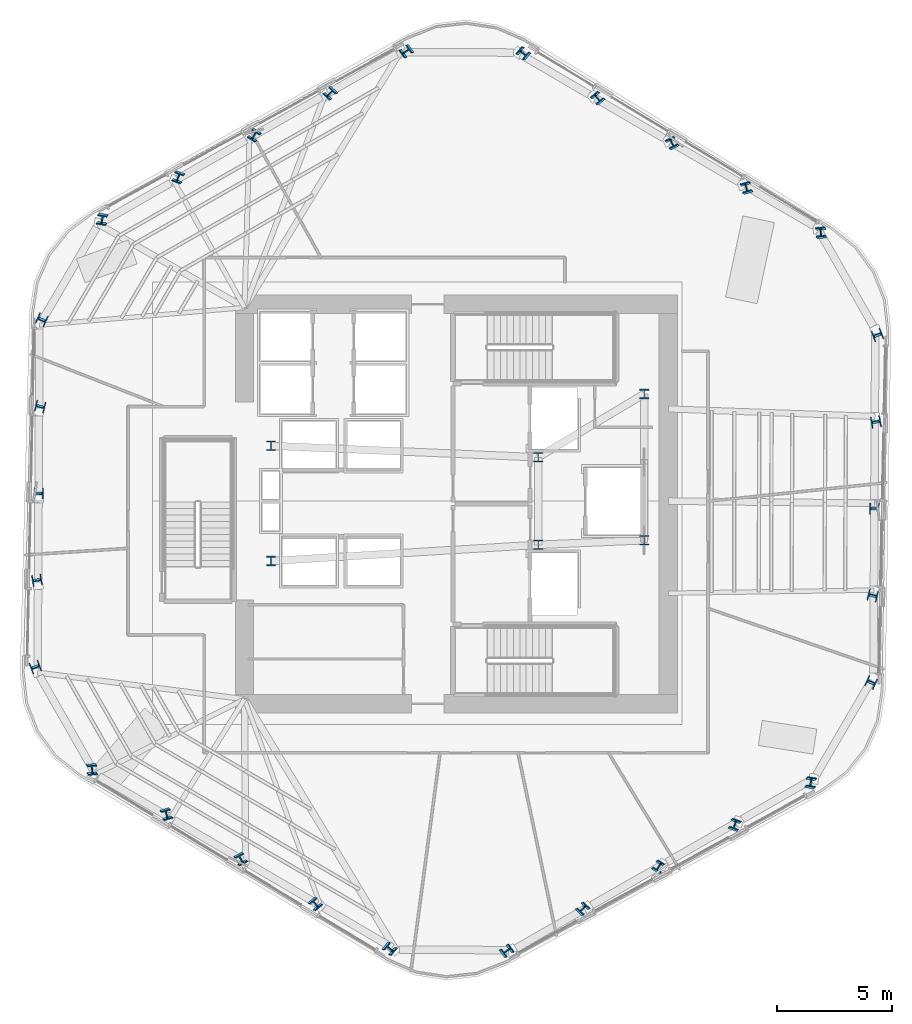
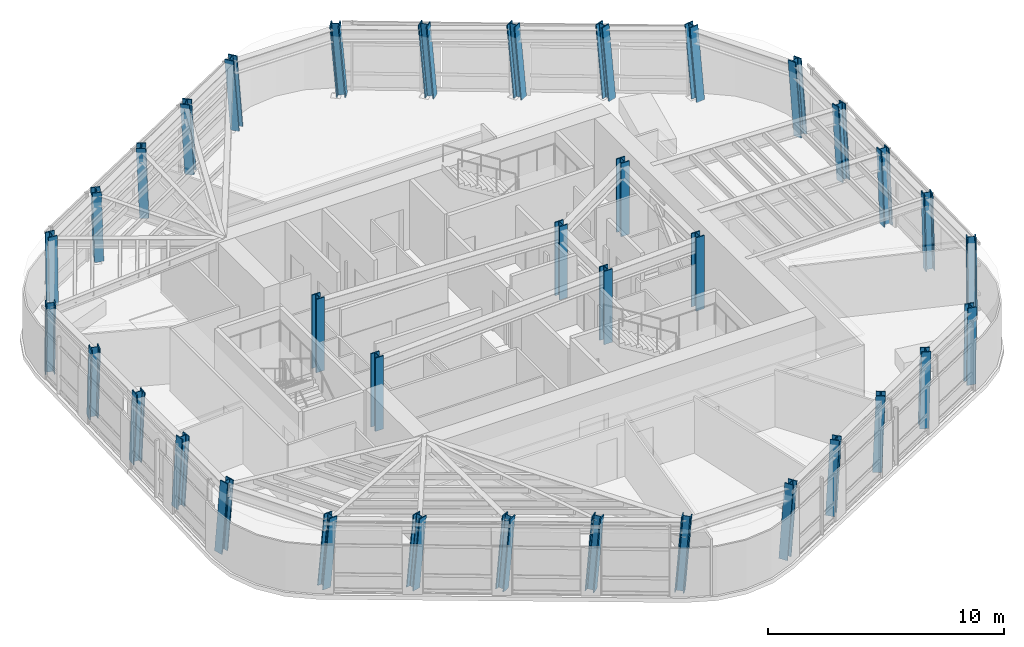
# One storey, part 1 of 14: 36 columns.
"""IFC4 building model written with IfcOpenShell, lengths in metres."""

from ifc_helpers import new_model, si_unit, direction, frame, origin, origin_2d, place, context, subcontext, project, spatial, i_section, extrude, material, material_profile, profile_set, type_object, element, save


model = new_model("IFC4")

# Units and contexts
model_context = context("Model", 3, precision=1e-05, world=origin(), true_north=direction((0.0, 1.0)))
body_context = subcontext(model_context, "Body", "Model", "MODEL_VIEW")
ifc_project = project(units=[si_unit("LENGTHUNIT", "METRE"), si_unit("AREAUNIT", "SQUARE_METRE"), si_unit("VOLUMEUNIT", "CUBIC_METRE"), si_unit("PLANEANGLEUNIT", "RADIAN"), si_unit("MASSUNIT", "GRAM", prefix="KILO")], contexts=[model_context])

# Site, building, storey
site_placement = place(None, origin())
site = spatial("IfcSite", under=ifc_project, at=site_placement, CompositionType="ELEMENT")
building_placement = place(site_placement, origin())
building = spatial("IfcBuilding", under=site, at=building_placement, Name="Valkerne Bourse Tower", CompositionType="ELEMENT")
storey_placement = place(building_placement, frame((0.0, 0.0, 147.60009765625)))
storey = spatial("IfcBuildingStorey", under=building, at=storey_placement, Name="L37", CompositionType="ELEMENT", Elevation=147.60009765625)

# Columns
ifc_material = material(Name="Steel ASTM A913 Grade 65", Category="steel")
ifc_material_profile_1 = material_profile(ifc_material, i_section(OverallWidth=0.406494140625, OverallDepth=0.41650390625, WebThickness=0.02978515625, FlangeThickness=0.048095703125, FilletRadius=0.025390625, at=origin_2d()), Name="W14X257")
ifc_profile_set_1 = profile_set([ifc_material_profile_1], Name="Steel ASTM A913 Grade 65")
column_type_1 = type_object("IfcColumnType", Name="COL-W14X257", PredefinedType="COLUMN", material=ifc_profile_set_1)
column_1_placement = place(storey_placement, frame((62.64990234375, 38.612060546875, 0.010009765625), z_axis=(-0.048588947613, 0.065257209112, 0.996684810173), x_axis=(0.994419816817, 0.096710401272, 0.042146485104)))
element("IfcColumn", 1, at=column_1_placement, inside=storey, type_object=column_type_1, Name="L37 Helical Perimeter Tube Column F1-C1", PredefinedType="COLUMN", context=body_context, shape_type="SweptSolid", body=[
    extrude(i_section(OverallWidth=0.406494140625, OverallDepth=0.41650390625, WebThickness=0.02978515625, FlangeThickness=0.048095703125, FilletRadius=0.025390625, at=origin_2d()), origin(), (0.0, 0.0, 1.0), 3.793701171875),
])
column_2_placement = place(storey_placement, frame((59.42431640625, 40.565673828125, 0.010009765625), z_axis=(-0.056589930624, 0.051825818148, 0.997051485293), x_axis=(0.958599828088, 0.281968478801, 0.039751057239)))
element("IfcColumn", 2, at=column_2_placement, inside=storey, type_object=column_type_1, Name="L37 Helical Perimeter Tube Column F1-C2", PredefinedType="COLUMN", context=body_context, shape_type="SweptSolid", body=[
    extrude(i_section(OverallWidth=0.406494140625, OverallDepth=0.41650390625, WebThickness=0.02978515625, FlangeThickness=0.048095703125, FilletRadius=0.025390625, at=origin_2d()), origin(), (0.0, 0.0, 1.0), 3.792236328125),
])
column_3_placement = place(storey_placement, frame((56.19873046875, 42.51904296875, 0.010009765625), z_axis=(-0.064580834189, 0.038439439691, 0.997171863488), x_axis=(0.881374776077, 0.470810767072, 0.038932322106)))
element("IfcColumn", 3, at=column_3_placement, inside=storey, type_object=column_type_1, Name="L37 Helical Perimeter Tube Column F1-C3", PredefinedType="COLUMN", context=body_context, shape_type="SweptSolid", body=[
    extrude(i_section(OverallWidth=0.406494140625, OverallDepth=0.41650390625, WebThickness=0.02978515625, FlangeThickness=0.048095703125, FilletRadius=0.025390625, at=origin_2d()), origin(), (0.0, 0.0, 1.0), 3.791748046875),
])
column_4_placement = place(storey_placement, frame((52.97314453125, 44.47265625, 0.010009765625), z_axis=(-0.072556144355, 0.024979400186, 0.997051470829), x_axis=(0.766810242994, 0.640641785203, 0.039751154594)))
element("IfcColumn", 4, at=column_4_placement, inside=storey, type_object=column_type_1, Name="L37 Helical Perimeter Tube Column F1-C4", PredefinedType="COLUMN", context=body_context, shape_type="SweptSolid", body=[
    extrude(i_section(OverallWidth=0.406494140625, OverallDepth=0.41650390625, WebThickness=0.02978515625, FlangeThickness=0.048095703125, FilletRadius=0.025390625, at=origin_2d()), origin(), (0.0, 0.0, 1.0), 3.792236328125),
])
column_5_placement = place(storey_placement, frame((49.74755859375, 46.426025390625, 0.010009765625), z_axis=(-0.080573709129, 0.011584079587, 0.996681336485), x_axis=(0.63277730181, 0.773184778659, 0.042168523388)))
element("IfcColumn", 5, at=column_5_placement, inside=storey, type_object=column_type_1, Name="L37 Helical Perimeter Tube Column F1-C5", PredefinedType="COLUMN", context=body_context, shape_type="SweptSolid", body=[
    extrude(i_section(OverallWidth=0.406494140625, OverallDepth=0.41650390625, WebThickness=0.02978515625, FlangeThickness=0.048095703125, FilletRadius=0.025390625, at=origin_2d()), origin(), (0.0, 0.0, 1.0), 3.793701171875),
])
column_6_placement = place(storey_placement, frame((44.66845703125, 46.532470703125, 0.010009765625), z_axis=(-0.080767324054, -0.009460395726, 0.996688085751), x_axis=(-0.578843960916, 0.814496723607, -0.039175963878)))
element("IfcColumn", 6, at=column_6_placement, inside=storey, type_object=column_type_1, Name="L37 Helical Perimeter Tube Column F2-C1", PredefinedType="COLUMN", context=body_context, shape_type="SweptSolid", body=[
    extrude(i_section(OverallWidth=0.406494140625, OverallDepth=0.41650390625, WebThickness=0.02978515625, FlangeThickness=0.048095703125, FilletRadius=0.025390625, at=origin_2d()), origin(), (0.0, 0.0, 1.0), 3.79345703125),
])
column_7_placement = place(storey_placement, frame((41.364013671875, 44.7158203125, 0.010009765625), z_axis=(-0.07319979512, -0.023112336366, 0.997049452085), x_axis=(-0.721890837526, 0.691018142958, -0.036980329886)))
element("IfcColumn", 7, at=column_7_placement, inside=storey, type_object=column_type_1, Name="L37 Helical Perimeter Tube Column F2-C2", PredefinedType="COLUMN", context=body_context, shape_type="SweptSolid", body=[
    extrude(i_section(OverallWidth=0.406494140625, OverallDepth=0.41650390625, WebThickness=0.02978515625, FlangeThickness=0.048095703125, FilletRadius=0.025390625, at=origin_2d()), origin(), (0.0, 0.0, 1.0), 3.792236328125),
])
column_8_placement = place(storey_placement, frame((38.059326171875, 42.89892578125, 0.010009765625), z_axis=(-0.065546811486, -0.036701063406, 0.997174331523), x_axis=(-0.847279952021, 0.529912196862, -0.036190420285)))
element("IfcColumn", 8, at=column_8_placement, inside=storey, type_object=column_type_1, Name="L37 Helical Perimeter Tube Column F2-C3", PredefinedType="COLUMN", context=body_context, shape_type="SweptSolid", body=[
    extrude(i_section(OverallWidth=0.406494140625, OverallDepth=0.41650390625, WebThickness=0.02978515625, FlangeThickness=0.048095703125, FilletRadius=0.025390625, at=origin_2d()), origin(), (0.0, 0.0, 1.0), 3.791748046875),
])
column_9_placement = place(storey_placement, frame((34.7548828125, 41.082275390625, 0.010009765625), z_axis=(-0.057941805462, -0.050344990968, 0.997049712434), x_axis=(-0.937341846414, 0.346443124703, -0.036978700733)))
element("IfcColumn", 9, at=column_9_placement, inside=storey, type_object=column_type_1, Name="L37 Helical Perimeter Tube Column F2-C4", PredefinedType="COLUMN", context=body_context, shape_type="SweptSolid", body=[
    extrude(i_section(OverallWidth=0.406494140625, OverallDepth=0.41650390625, WebThickness=0.02978515625, FlangeThickness=0.048095703125, FilletRadius=0.025390625, at=origin_2d()), origin(), (0.0, 0.0, 1.0), 3.792236328125),
])
for number, where, z_axis, x_axis, name in (
    (10, (31.4501953125, 39.265625, 0.010009765625), (-0.0502622327, -0.063970114346, 0.996685272508), (-0.985707227327, 0.16384506201, -0.039192571376), "L37 Helical Perimeter Tube Column F2-C5"),
    (11, (28.818603515625, 34.92041015625, 0.010009765625), (-0.032178130993, -0.074717620165, 0.996685429372), (-0.41337878058, -0.906919363291, -0.081334201012), "L37 Helical Perimeter Tube Column F3-C1"),
):
    element("IfcColumn", number, at=place(storey_placement, frame(where, z_axis=z_axis, x_axis=x_axis)), inside=storey, type_object=column_type_1, Name=name, PredefinedType="COLUMN", context=body_context, shape_type="SweptSolid", body=[
        extrude(i_section(OverallWidth=0.406494140625, OverallDepth=0.41650390625, WebThickness=0.02978515625, FlangeThickness=0.048095703125, FilletRadius=0.025390625, at=origin_2d()), origin(), (0.0, 0.0, 1.0), 3.793701171875),
    ])
column_10_placement = place(storey_placement, frame((28.73974609375, 31.150146484375, 0.010009765625), z_axis=(-0.016609986435, -0.074938078337, 0.997049844675), x_axis=(-0.236158042464, -0.968679697173, -0.076739971748)))
element("IfcColumn", 12, at=column_10_placement, inside=storey, type_object=column_type_1, Name="L37 Helical Perimeter Tube Column F3-C2", PredefinedType="COLUMN", context=body_context, shape_type="SweptSolid", body=[
    extrude(i_section(OverallWidth=0.406494140625, OverallDepth=0.41650390625, WebThickness=0.02978515625, FlangeThickness=0.048095703125, FilletRadius=0.025390625, at=origin_2d()), origin(), (0.0, 0.0, 1.0), 3.792236328125),
])
column_11_placement = place(storey_placement, frame((28.66064453125, 27.3798828125, 0.010009765625), z_axis=(-0.000965815676, -0.075140459612, 0.997172491864), x_axis=(-0.033753947862, -0.996602290902, -0.075130185491)))
element("IfcColumn", 13, at=column_11_placement, inside=storey, type_object=column_type_1, Name="L37 Helical Perimeter Tube Column F3-C3", PredefinedType="COLUMN", context=body_context, shape_type="SweptSolid", body=[
    extrude(i_section(OverallWidth=0.406494140625, OverallDepth=0.41650390625, WebThickness=0.02978515625, FlangeThickness=0.048095703125, FilletRadius=0.025390625, at=origin_2d()), origin(), (0.0, 0.0, 1.0), 3.791748046875),
])
column_12_placement = place(storey_placement, frame((28.581787109375, 23.60986328125, 0.010009765625), z_axis=(0.014614173197, -0.075388532218, 0.997047137879), x_axis=(0.169145388357, -0.982596264539, -0.07677511648)))
element("IfcColumn", 14, at=column_12_placement, inside=storey, type_object=column_type_1, Name="L37 Helical Perimeter Tube Column F3-C4", PredefinedType="COLUMN", context=body_context, shape_type="SweptSolid", body=[
    extrude(i_section(OverallWidth=0.406494140625, OverallDepth=0.41650390625, WebThickness=0.02978515625, FlangeThickness=0.048095703125, FilletRadius=0.025390625, at=origin_2d()), origin(), (0.0, 0.0, 1.0), 3.792236328125),
])
for number, where, z_axis, x_axis, name in (
    (15, (28.502685546875, 19.839599609375, 0.010009765625), (0.030247364522, -0.075554055211, 0.996682839062), (0.350906968426, -0.932868632809, -0.081365923037), "L37 Helical Perimeter Tube Column F3-C5"),
    (16, (30.9501953125, 15.387939453125, 0.010009765625), (0.048588947613, -0.065257209112, 0.996684810173), (0.994419816817, 0.096710401272, -0.042146485104), "L37 Helical Perimeter Tube Column F4-C1"),
):
    element("IfcColumn", number, at=place(storey_placement, frame(where, z_axis=z_axis, x_axis=x_axis)), inside=storey, type_object=column_type_1, Name=name, PredefinedType="COLUMN", context=body_context, shape_type="SweptSolid", body=[
        extrude(i_section(OverallWidth=0.406494140625, OverallDepth=0.41650390625, WebThickness=0.02978515625, FlangeThickness=0.048095703125, FilletRadius=0.025390625, at=origin_2d()), origin(), (0.0, 0.0, 1.0), 3.793701171875),
    ])
column_13_placement = place(storey_placement, frame((34.17578125, 13.434326171875, 0.010009765625), z_axis=(0.056589930624, -0.051825818148, 0.997051485293), x_axis=(0.958599828088, 0.281968478801, -0.039751057239)))
element("IfcColumn", 17, at=column_13_placement, inside=storey, type_object=column_type_1, Name="L37 Helical Perimeter Tube Column F4-C2", PredefinedType="COLUMN", context=body_context, shape_type="SweptSolid", body=[
    extrude(i_section(OverallWidth=0.406494140625, OverallDepth=0.41650390625, WebThickness=0.02978515625, FlangeThickness=0.048095703125, FilletRadius=0.025390625, at=origin_2d()), origin(), (0.0, 0.0, 1.0), 3.792236328125),
])
column_14_placement = place(storey_placement, frame((37.4013671875, 11.48095703125, 0.010009765625), z_axis=(0.064580834189, -0.038439439691, 0.997171863488), x_axis=(0.881374776077, 0.470810767072, -0.038932322106)))
element("IfcColumn", 18, at=column_14_placement, inside=storey, type_object=column_type_1, Name="L37 Helical Perimeter Tube Column F4-C3", PredefinedType="COLUMN", context=body_context, shape_type="SweptSolid", body=[
    extrude(i_section(OverallWidth=0.406494140625, OverallDepth=0.41650390625, WebThickness=0.02978515625, FlangeThickness=0.048095703125, FilletRadius=0.025390625, at=origin_2d()), origin(), (0.0, 0.0, 1.0), 3.791748046875),
])
column_15_placement = place(storey_placement, frame((40.626953125, 9.52734375, 0.010009765625), z_axis=(0.072556144355, -0.024979400186, 0.997051470829), x_axis=(0.766810242994, 0.640641785203, -0.039751154594)))
element("IfcColumn", 19, at=column_15_placement, inside=storey, type_object=column_type_1, Name="L37 Helical Perimeter Tube Column F4-C4", PredefinedType="COLUMN", context=body_context, shape_type="SweptSolid", body=[
    extrude(i_section(OverallWidth=0.406494140625, OverallDepth=0.41650390625, WebThickness=0.02978515625, FlangeThickness=0.048095703125, FilletRadius=0.025390625, at=origin_2d()), origin(), (0.0, 0.0, 1.0), 3.792236328125),
])
column_16_placement = place(storey_placement, frame((43.8525390625, 7.573974609375, 0.010009765625), z_axis=(0.080509770441, -0.011584139632, 0.996686502654), x_axis=(0.632867003366, 0.773113145144, -0.042135743209)))
element("IfcColumn", 20, at=column_16_placement, inside=storey, type_object=column_type_1, Name="L37 Helical Perimeter Tube Column F4-C5", PredefinedType="COLUMN", context=body_context, shape_type="SweptSolid", body=[
    extrude(i_section(OverallWidth=0.406494140625, OverallDepth=0.41650390625, WebThickness=0.02978515625, FlangeThickness=0.048095703125, FilletRadius=0.025390625, at=origin_2d()), origin(), (0.0, 0.0, 1.0), 3.79345703125),
])
column_17_placement = place(storey_placement, frame((48.931396484375, 7.467529296875, 0.010009765625), z_axis=(0.080831260168, 0.009460346532, 0.996682903045), x_axis=(-0.578766547857, 0.814550261946, 0.0392065536)))
element("IfcColumn", 21, at=column_17_placement, inside=storey, type_object=column_type_1, Name="L37 Helical Perimeter Tube Column F5-C1", PredefinedType="COLUMN", context=body_context, shape_type="SweptSolid", body=[
    extrude(i_section(OverallWidth=0.406494140625, OverallDepth=0.41650390625, WebThickness=0.02978515625, FlangeThickness=0.048095703125, FilletRadius=0.025390625, at=origin_2d()), origin(), (0.0, 0.0, 1.0), 3.793701171875),
])
column_18_placement = place(storey_placement, frame((52.236083984375, 9.2841796875, 0.010009765625), z_axis=(0.07319979512, 0.023112336366, 0.997049452085), x_axis=(-0.721890837526, 0.691018142958, 0.036980329886)))
element("IfcColumn", 22, at=column_18_placement, inside=storey, type_object=column_type_1, Name="L37 Helical Perimeter Tube Column F5-C2", PredefinedType="COLUMN", context=body_context, shape_type="SweptSolid", body=[
    extrude(i_section(OverallWidth=0.406494140625, OverallDepth=0.41650390625, WebThickness=0.02978515625, FlangeThickness=0.048095703125, FilletRadius=0.025390625, at=origin_2d()), origin(), (0.0, 0.0, 1.0), 3.792236328125),
])
column_19_placement = place(storey_placement, frame((55.54052734375, 11.10107421875, 0.010009765625), z_axis=(0.065610922276, 0.036700908437, 0.997170120991), x_axis=(-0.847056377545, 0.530267666231, 0.036217335763)))
element("IfcColumn", 23, at=column_19_placement, inside=storey, type_object=column_type_1, Name="L37 Helical Perimeter Tube Column F5-C3", PredefinedType="COLUMN", context=body_context, shape_type="SweptSolid", body=[
    extrude(i_section(OverallWidth=0.406494140625, OverallDepth=0.41650390625, WebThickness=0.02978515625, FlangeThickness=0.048095703125, FilletRadius=0.025390625, at=origin_2d()), origin(), (0.0, 0.0, 1.0), 3.791748046875),
])
column_20_placement = place(storey_placement, frame((58.84521484375, 12.917724609375, 0.010009765625), z_axis=(0.057877641458, 0.050345178666, 0.997053429664), x_axis=(-0.937533759409, 0.345925925613, 0.036955432032)))
element("IfcColumn", 24, at=column_20_placement, inside=storey, type_object=column_type_1, Name="L37 Helical Perimeter Tube Column F5-C4", PredefinedType="COLUMN", context=body_context, shape_type="SweptSolid", body=[
    extrude(i_section(OverallWidth=0.406494140625, OverallDepth=0.41650390625, WebThickness=0.02978515625, FlangeThickness=0.048095703125, FilletRadius=0.025390625, at=origin_2d()), origin(), (0.0, 0.0, 1.0), 3.792236328125),
])
for number, where, z_axis, x_axis, name in (
    (25, (62.149658203125, 14.734375, 0.010009765625), (0.0502622327, 0.063970114346, 0.996685272508), (-0.985707227327, 0.16384506201, 0.039192571376), "L37 Helical Perimeter Tube Column F5-C5"),
    (26, (64.78125, 19.07958984375, 0.010009765625), (0.032242420418, 0.074717465281, 0.996683363314), (-0.414036586403, -0.90661697329, 0.081359503828), "L37 Helical Perimeter Tube Column F6-C1"),
):
    element("IfcColumn", number, at=place(storey_placement, frame(where, z_axis=z_axis, x_axis=x_axis)), inside=storey, type_object=column_type_1, Name=name, PredefinedType="COLUMN", context=body_context, shape_type="SweptSolid", body=[
        extrude(i_section(OverallWidth=0.406494140625, OverallDepth=0.41650390625, WebThickness=0.02978515625, FlangeThickness=0.048095703125, FilletRadius=0.025390625, at=origin_2d()), origin(), (0.0, 0.0, 1.0), 3.793701171875),
    ])
column_21_placement = place(storey_placement, frame((64.8603515625, 22.849853515625, 0.010009765625), z_axis=(0.016545624302, 0.074938158316, 0.997050908803), x_axis=(-0.235364819985, -0.968873830433, 0.076726150795)))
element("IfcColumn", 27, at=column_21_placement, inside=storey, type_object=column_type_1, Name="L37 Helical Perimeter Tube Column F6-C2", PredefinedType="COLUMN", context=body_context, shape_type="SweptSolid", body=[
    extrude(i_section(OverallWidth=0.406494140625, OverallDepth=0.41650390625, WebThickness=0.02978515625, FlangeThickness=0.048095703125, FilletRadius=0.025390625, at=origin_2d()), origin(), (0.0, 0.0, 1.0), 3.792236328125),
])
column_22_placement = place(storey_placement, frame((64.939208984375, 26.6201171875, 0.010009765625), z_axis=(0.001030203322, 0.075140454783, 0.997172427786), x_axis=(-0.034607770353, -0.996572942499, 0.075131035593)))
element("IfcColumn", 28, at=column_22_placement, inside=storey, type_object=column_type_1, Name="L37 Helical Perimeter Tube Column F6-C3", PredefinedType="COLUMN", context=body_context, shape_type="SweptSolid", body=[
    extrude(i_section(OverallWidth=0.406494140625, OverallDepth=0.41650390625, WebThickness=0.02978515625, FlangeThickness=0.048095703125, FilletRadius=0.025390625, at=origin_2d()), origin(), (0.0, 0.0, 1.0), 3.791748046875),
])
column_23_placement = place(storey_placement, frame((65.018310546875, 30.39013671875, 0.010009765625), z_axis=(-0.014678538974, 0.075388461132, 0.997046197737), x_axis=(0.16995374053, -0.982455817664, 0.076787319386)))
element("IfcColumn", 29, at=column_23_placement, inside=storey, type_object=column_type_1, Name="L37 Helical Perimeter Tube Column F6-C4", PredefinedType="COLUMN", context=body_context, shape_type="SweptSolid", body=[
    extrude(i_section(OverallWidth=0.406494140625, OverallDepth=0.41650390625, WebThickness=0.02978515625, FlangeThickness=0.048095703125, FilletRadius=0.025390625, at=origin_2d()), origin(), (0.0, 0.0, 1.0), 3.792236328125),
])
column_24_placement = place(storey_placement, frame((65.09716796875, 34.160400390625, 0.010009765625), z_axis=(-0.030247364522, 0.075554055211, 0.996682839062), x_axis=(0.350906968426, -0.932868632809, 0.081365923037)))
element("IfcColumn", 30, at=column_24_placement, inside=storey, type_object=column_type_1, Name="L37 Helical Perimeter Tube Column F6-C5", PredefinedType="COLUMN", context=body_context, shape_type="SweptSolid", body=[
    extrude(i_section(OverallWidth=0.406494140625, OverallDepth=0.41650390625, WebThickness=0.02978515625, FlangeThickness=0.048095703125, FilletRadius=0.025390625, at=origin_2d()), origin(), (0.0, 0.0, 1.0), 3.793701171875),
])
ifc_material_profile_2 = material_profile(ifc_material, i_section(OverallWidth=0.408935546875, OverallDepth=0.42431640625, WebThickness=0.03271484375, FlangeThickness=0.052490234375, FilletRadius=0.025390625, at=origin_2d()), Name="W14X283")
ifc_profile_set_2 = profile_set([ifc_material_profile_2], Name="Steel ASTM A913 Grade 65")
column_type_2 = type_object("IfcColumnType", Name="COL-W14X283", PredefinedType="COLUMN", material=ifc_profile_set_2)
for number, where, z_axis, x_axis, name in (
    (31, (38.75, 24.39990234375, 0.0048828125), (0.0, 0.0, 1.0), (1.0, 0.0, 0.0), "L37 Core Frame Column CC-SW"),
    (32, (38.75, 29.39990234375, 0.0048828125), (0.0, 0.0, 1.0), (1.0, 0.0, 0.0), "L37 Core Frame Column CC-NW"),
    (33, (50.35009765625, 25.10009765625, 0.0048828125), (0.0, 0.0, 1.0), (1.0, 0.0, 0.0), "L37 Core Frame Column CC-CE1"),
    (34, (50.35009765625, 28.89990234375, 0.0048828125), (0.0, 0.0, 1.0), (1.0, 0.0, 0.0), "L37 Core Frame Column CC-CE2"),
    (35, (54.949951171875, 25.300048828125, 0.0048828125), (0.0, 0.0, 1.0), (1.0, 0.0, 0.0), "L37 Core Frame Column CC-SE"),
    (36, (54.949951171875, 31.64990234375, 0.0048828125), (0.0, 0.0, 1.0), (1.0, 0.0, 0.0), "L37 Core Frame Column CC-NE"),
):
    element("IfcColumn", number, at=place(storey_placement, frame(where, z_axis=z_axis, x_axis=x_axis)), inside=storey, type_object=column_type_2, Name=name, PredefinedType="COLUMN", context=body_context, shape_type="SweptSolid", body=[
        extrude(i_section(OverallWidth=0.408935546875, OverallDepth=0.42431640625, WebThickness=0.03271484375, FlangeThickness=0.052490234375, FilletRadius=0.025390625, at=origin_2d()), origin(), (0.0, 0.0, 1.0), 3.794921875),
    ])

save(model, "model.ifc")
